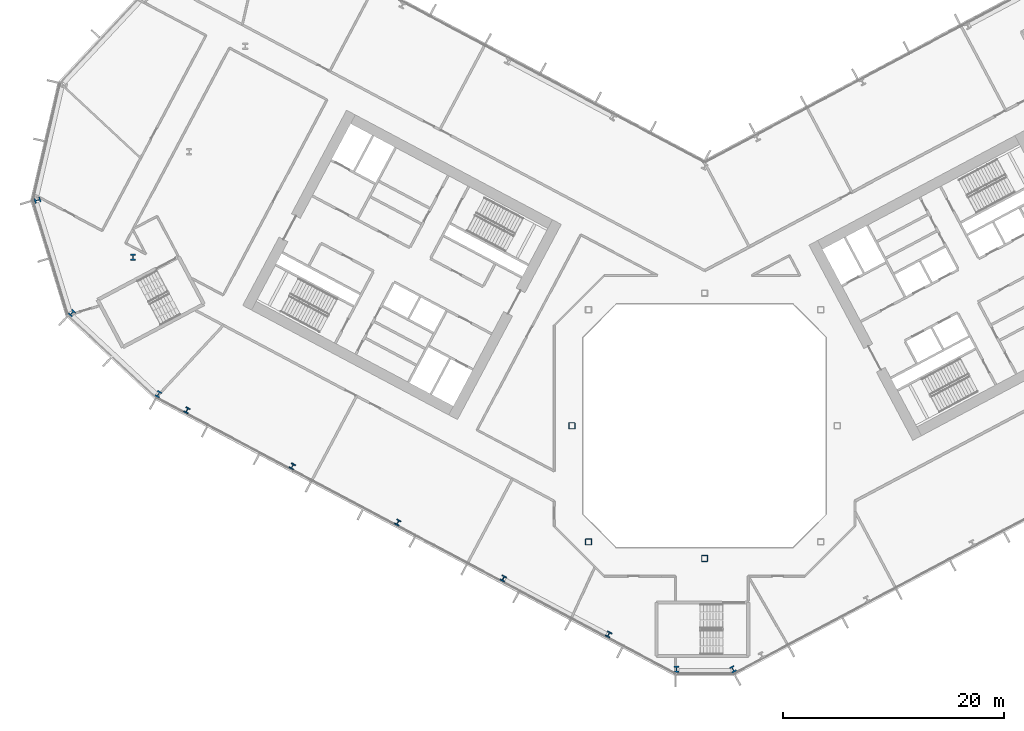
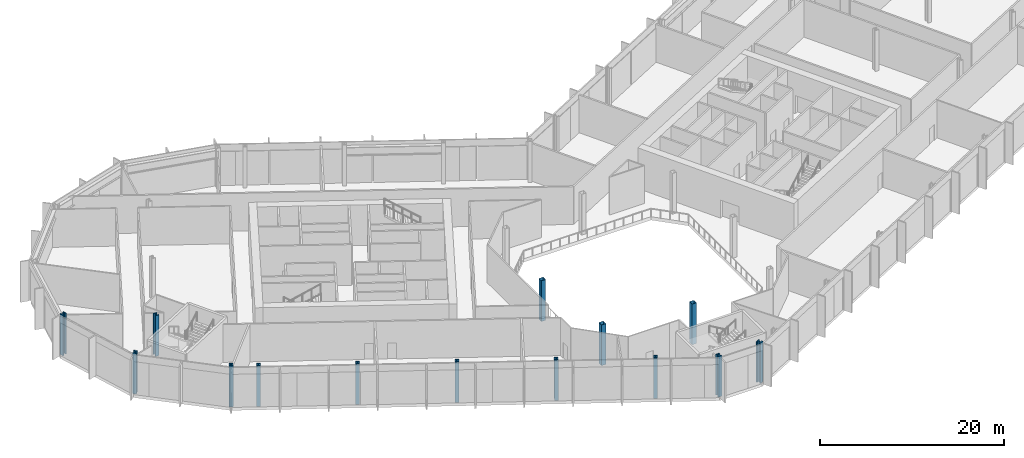
# One storey, part 1 of 32: 14 columns.
"""IFC4 building model written with IfcOpenShell, lengths in metres."""

from ifc_helpers import new_model, si_unit, direction, frame, origin, origin_2d, place, context, subcontext, project, spatial, hollow_rectangle, i_section, extrude, material, material_profile, profile_set, type_object, element, save


model = new_model("IFC4")

# Units and contexts
model_context = context("Model", 3, precision=1e-05, world=origin(), true_north=direction((0.0, 1.0)))
body_context = subcontext(model_context, "Body", "Model", "MODEL_VIEW")
ifc_project = project(units=[si_unit("LENGTHUNIT", "METRE"), si_unit("AREAUNIT", "SQUARE_METRE"), si_unit("VOLUMEUNIT", "CUBIC_METRE"), si_unit("PLANEANGLEUNIT", "RADIAN"), si_unit("MASSUNIT", "GRAM", prefix="KILO")], contexts=[model_context])

# Site, building, storey
site_placement = place(None, origin())
site = spatial("IfcSite", under=ifc_project, at=site_placement, CompositionType="ELEMENT")
building_placement = place(site_placement, origin())
building = spatial("IfcBuilding", under=site, at=building_placement, Name="Cormorant Relay Tower", CompositionType="ELEMENT")
storey_placement = place(building_placement, frame((0.0, 0.0, 60.800048828125)))
storey = spatial("IfcBuildingStorey", under=building, at=storey_placement, Name="L11", CompositionType="ELEMENT", Elevation=60.800048828125)

# Columns
ifc_material_1 = material(Name="Steel ASTM A1085 Grade A (Fy 345 MPa)", Category="steel")
ifc_material_profile_1 = material_profile(ifc_material_1, hollow_rectangle(XDim=0.558837890625, YDim=0.558837890625, WallThickness=0.023681640625, InnerFilletRadius=0.01171875, OuterFilletRadius=0.035400390625, at=origin_2d()), Name="HSS559x559x24")
ifc_profile_set_1 = profile_set([ifc_material_profile_1], Name="Steel ASTM A1085 Grade A (Fy 345 MPa)")
column_type_1 = type_object("IfcColumnType", Name="Column HSS559x559x24", PredefinedType="COLUMN", material=ifc_profile_set_1)
for number, where, z_axis, x_axis, name in (
    (1, (0.0, -12.0, 0.0), (0.0, 0.0, 1.0), (1.0, 0.0, 0.0), "Column L11-007"),
    (2, (-10.5, -10.5, 0.0), (0.0, 0.0, 1.0), (1.0, 0.0, 0.0), "Column L11-009"),
    (3, (-12.0, 0.0, 0.0), (0.0, 0.0, 1.0), (1.0, 0.0, 0.0), "Column L11-015"),
):
    element("IfcColumn", number, at=place(storey_placement, frame(where, z_axis=z_axis, x_axis=x_axis)), inside=storey, type_object=column_type_1, Name=name, PredefinedType="COLUMN", context=body_context, shape_type="SweptSolid", body=[
        extrude(hollow_rectangle(XDim=0.558837890625, YDim=0.558837890625, WallThickness=0.023681640625, InnerFilletRadius=0.01171875, OuterFilletRadius=0.035400390625, at=origin_2d()), origin(), (0.0, 0.0, 1.0), 5.39990234375),
    ])
ifc_material_2 = material(Name="Steel ASTM A992 (Fy 345 MPa)", Category="steel")
ifc_material_profile_2 = material_profile(ifc_material_2, i_section(OverallWidth=0.45458984375, OverallDepth=0.569091796875, WebThickness=0.077880859375, FlangeThickness=0.124755859375, FilletRadius=0.015380859375, at=origin_2d()), Name="W360x1086")
ifc_profile_set_2 = profile_set([ifc_material_profile_2], Name="Steel ASTM A992 (Fy 345 MPa)")
column_type_2 = type_object("IfcColumnType", Name="Column W360x1086", PredefinedType="COLUMN", material=ifc_profile_set_2)
for number, where, z_axis, x_axis, name in (
    (4, (-2.55908203125, -22.01708984375, 0.0), (0.0, 0.0, 1.0), (1.0, 0.0, 0.0), "Column L11-001"),
    (5, (2.55908203125, -22.01708984375, 0.0), (0.0, 0.0, 1.0), (0.882947592859, 0.469471562786, 0.0), "Column L11-002"),
    (6, (-49.39404296875, 2.861083984375, 0.0), (0.0, 0.0, 1.0), (0.882947592859, -0.469471562786, 0.0), "Column L11-018"),
    (7, (-57.218994140625, 10.198974609375, 0.0), (0.0, 0.0, 1.0), (0.731353701619, -0.681998360062, 0.0), "Column L11-021"),
    (8, (-51.68994140625, 15.251953125, 0.0), (0.0, 0.0, 1.0), (1.0, 0.0, 0.0), "Column L11-027"),
    (9, (-60.340087890625, 20.406982421875, 0.0), (0.0, 0.0, 1.0), (0.292371704723, -0.956304755963, 0.0), "Column L11-030"),
):
    element("IfcColumn", number, at=place(storey_placement, frame(where, z_axis=z_axis, x_axis=x_axis)), inside=storey, type_object=column_type_2, Name=name, PredefinedType="COLUMN", context=body_context, shape_type="SweptSolid", body=[
        extrude(i_section(OverallWidth=0.45458984375, OverallDepth=0.569091796875, WebThickness=0.077880859375, FlangeThickness=0.124755859375, FilletRadius=0.015380859375, at=origin_2d()), origin(), (0.0, 0.0, 1.0), 5.39990234375),
    ])
ifc_material_3 = material(Name="Steel ASTM A992 (Fy 345 MPa)", Category="steel")
ifc_material_profile_3 = material_profile(ifc_material_3, i_section(OverallWidth=0.43701171875, OverallDepth=0.51318359375, WebThickness=0.060546875, FlangeThickness=0.096923828125, FilletRadius=0.015380859375, at=origin_2d()), Name="W360x818")
ifc_profile_set_3 = profile_set([ifc_material_profile_3], Name="Steel ASTM A992 (Fy 345 MPa)")
column_type_3 = type_object("IfcColumnType", Name="Column W360x818", PredefinedType="COLUMN", material=ifc_profile_set_3)
for number, where, z_axis, x_axis, name in (
    (10, (-8.677001953125, -18.8759765625, 0.0), (0.0, 0.0, 1.0), (0.882947592859, -0.469471562786, 0.0), "Column L11-004"),
    (11, (-18.212890625, -13.804931640625, 0.0), (0.0, 0.0, 1.0), (0.882947592859, -0.469471562786, 0.0), "Column L11-006"),
    (12, (-27.7490234375, -8.735107421875, 0.0), (0.0, 0.0, 1.0), (0.882947592859, -0.469471562786, 0.0), "Column L11-011"),
    (13, (-37.284912109375, -3.6650390625, 0.0), (0.0, 0.0, 1.0), (0.882947592859, -0.469471562786, 0.0), "Column L11-013"),
    (14, (-46.821044921875, 1.405029296875, 0.0), (0.0, 0.0, 1.0), (0.882947592859, -0.469471562786, 0.0), "Column L11-017"),
):
    element("IfcColumn", number, at=place(storey_placement, frame(where, z_axis=z_axis, x_axis=x_axis)), inside=storey, type_object=column_type_3, Name=name, PredefinedType="COLUMN", context=body_context, shape_type="SweptSolid", body=[
        extrude(i_section(OverallWidth=0.43701171875, OverallDepth=0.51318359375, WebThickness=0.060546875, FlangeThickness=0.096923828125, FilletRadius=0.015380859375, at=origin_2d()), origin(), (0.0, 0.0, 1.0), 5.39990234375),
    ])

save(model, "model.ifc")
